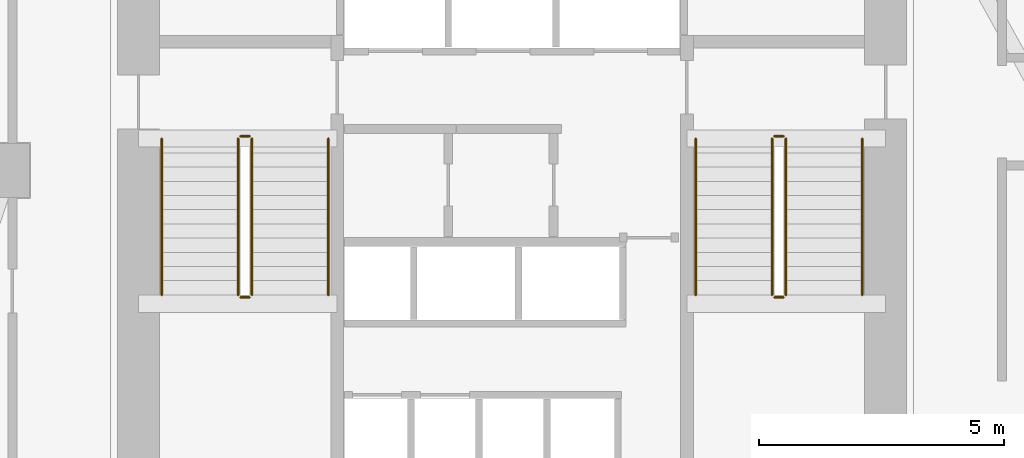
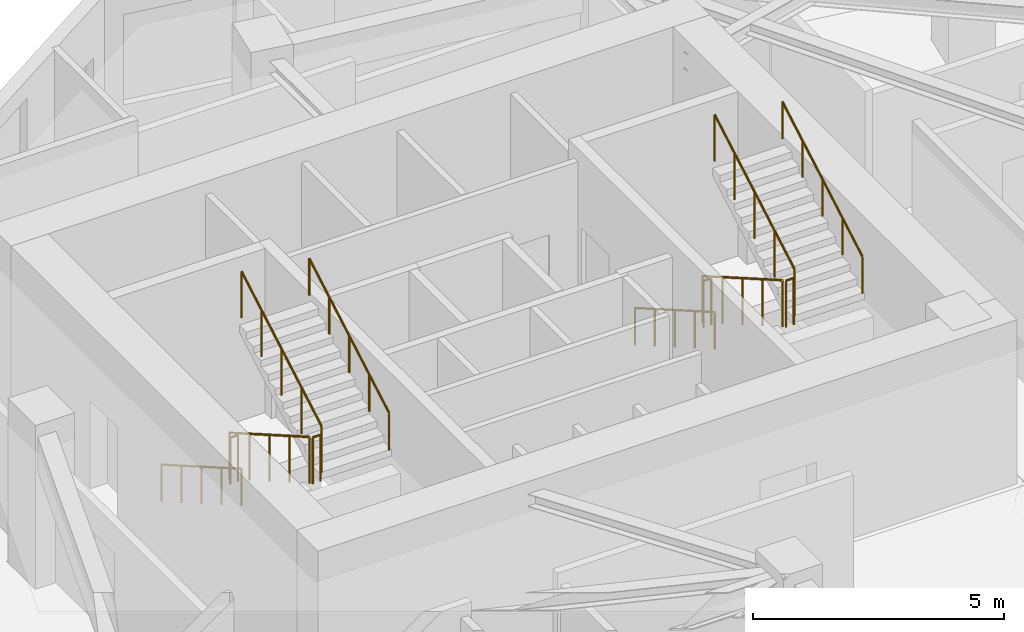
# One storey, part 10 of 10: 12 railings.
"""IFC4 building model written with IfcOpenShell, lengths in metres."""

from ifc_helpers import new_model, si_unit, direction, frame, origin, origin_2d, place, context, subcontext, project, spatial, circle, extrude, material, type_object, element, save


model = new_model("IFC4")

# Units and contexts
model_context = context("Model", 3, precision=1e-05, world=origin(), true_north=direction((0.0, 1.0)))
body_context = subcontext(model_context, "Body", "Model", "MODEL_VIEW")
ifc_project = project(units=[si_unit("LENGTHUNIT", "METRE"), si_unit("AREAUNIT", "SQUARE_METRE"), si_unit("VOLUMEUNIT", "CUBIC_METRE"), si_unit("PLANEANGLEUNIT", "RADIAN"), si_unit("MASSUNIT", "GRAM", prefix="KILO")], contexts=[model_context])

# Site, building, storey
site_placement = place(None, origin())
site = spatial("IfcSite", under=ifc_project, at=site_placement, CompositionType="ELEMENT")
building_placement = place(site_placement, origin())
building = spatial("IfcBuilding", under=site, at=building_placement, Name="Calvemar Wedge Station Tower", CompositionType="ELEMENT")
storey_placement = place(building_placement, frame((0.0, 0.0, 95.0)))
storey = spatial("IfcBuildingStorey", under=building, at=storey_placement, Name="L23", CompositionType="ELEMENT", Elevation=95.0)

# Railings
ifc_material_1 = material(Name="Stainless steel AISI 316L", Category="steel")
railing_type_1 = type_object("IfcRailingType", Name="RL-HANDRAIL-920", PredefinedType="HANDRAIL", material=ifc_material_1)
railing_1_placement = place(storey_placement, frame((16.64990234375, 41.14990234375, 0.166748046875)))
element("IfcRailing", 1, at=railing_1_placement, inside=storey, type_object=railing_type_1, Name="L23 ST-C1 stair handrail 1", PredefinedType="HANDRAIL", context=body_context, shape_type="SweptSolid", body=[
    extrude(circle(Radius=0.02392578125, at=origin_2d()), frame((0.0, 0.0, 0.89599609375), z_axis=(0.0, -0.867019545617, 0.498274128887), x_axis=(1.0, 0.0, 0.0)), (0.0, 0.0, 1.0), 3.67919921875),
    extrude(circle(Radius=0.02099609375, at=origin_2d()), origin(), (0.0, 0.0, 1.0), 0.871826171875),
    extrude(circle(Radius=0.02099609375, at=origin_2d()), frame((0.0, -0.79736328125, 0.458251953125)), (0.0, 0.0, 1.0), 0.871826171875),
    extrude(circle(Radius=0.02099609375, at=origin_2d()), frame((0.0, -1.594970703125, 0.91650390625)), (0.0, 0.0, 1.0), 0.871826171875),
    extrude(circle(Radius=0.02099609375, at=origin_2d()), frame((0.0, -2.392578125, 1.375)), (0.0, 0.0, 1.0), 0.871826171875),
    extrude(circle(Radius=0.02099609375, at=origin_2d()), frame((0.0, -3.18994140625, 1.833251953125)), (0.0, 0.0, 1.0), 0.871826171875),
])
railing_2_placement = place(storey_placement, frame((20.050048828125, 37.9599609375, 2.166748046875)))
element("IfcRailing", 2, at=railing_2_placement, inside=storey, type_object=railing_type_1, Name="L23 ST-C1 stair handrail 2", PredefinedType="HANDRAIL", context=body_context, shape_type="SweptSolid", body=[
    extrude(circle(Radius=0.02392578125, at=origin_2d()), frame((0.0, 0.0, 0.89599609375), z_axis=(0.0, 0.867019545617, 0.498274128887), x_axis=(-1.0, 0.0, 0.0)), (0.0, 0.0, 1.0), 3.67919921875),
    extrude(circle(Radius=0.02099609375, at=origin_2d()), origin(), (0.0, 0.0, 1.0), 0.871826171875),
    extrude(circle(Radius=0.02099609375, at=origin_2d()), frame((0.0, 0.79736328125, 0.458251953125)), (0.0, 0.0, 1.0), 0.871826171875),
    extrude(circle(Radius=0.02099609375, at=origin_2d()), frame((0.0, 1.594970703125, 0.91650390625)), (0.0, 0.0, 1.0), 0.871826171875),
    extrude(circle(Radius=0.02099609375, at=origin_2d()), frame((0.0, 2.392578125, 1.375)), (0.0, 0.0, 1.0), 0.871826171875),
    extrude(circle(Radius=0.02099609375, at=origin_2d()), frame((0.0, 3.18994140625, 1.833251953125)), (0.0, 0.0, 1.0), 0.871826171875),
])
railing_3_placement = place(storey_placement, frame((27.550048828125, 41.14990234375, 0.166748046875)))
element("IfcRailing", 3, at=railing_3_placement, inside=storey, type_object=railing_type_1, Name="L23 ST-C2 stair handrail 1", PredefinedType="HANDRAIL", context=body_context, shape_type="SweptSolid", body=[
    extrude(circle(Radius=0.02392578125, at=origin_2d()), frame((0.0, 0.0, 0.89599609375), z_axis=(0.0, -0.867019545617, 0.498274128887), x_axis=(1.0, 0.0, 0.0)), (0.0, 0.0, 1.0), 3.67919921875),
    extrude(circle(Radius=0.02099609375, at=origin_2d()), origin(), (0.0, 0.0, 1.0), 0.871826171875),
    extrude(circle(Radius=0.02099609375, at=origin_2d()), frame((0.0, -0.79736328125, 0.458251953125)), (0.0, 0.0, 1.0), 0.871826171875),
    extrude(circle(Radius=0.02099609375, at=origin_2d()), frame((0.0, -1.594970703125, 0.91650390625)), (0.0, 0.0, 1.0), 0.871826171875),
    extrude(circle(Radius=0.02099609375, at=origin_2d()), frame((0.0, -2.392578125, 1.375)), (0.0, 0.0, 1.0), 0.871826171875),
    extrude(circle(Radius=0.02099609375, at=origin_2d()), frame((0.0, -3.18994140625, 1.833251953125)), (0.0, 0.0, 1.0), 0.871826171875),
])
railing_4_placement = place(storey_placement, frame((30.949951171875, 37.9599609375, 2.166748046875)))
element("IfcRailing", 4, at=railing_4_placement, inside=storey, type_object=railing_type_1, Name="L23 ST-C2 stair handrail 2", PredefinedType="HANDRAIL", context=body_context, shape_type="SweptSolid", body=[
    extrude(circle(Radius=0.02392578125, at=origin_2d()), frame((0.0, 0.0, 0.89599609375), z_axis=(0.0, 0.867019545617, 0.498274128887), x_axis=(-1.0, 0.0, 0.0)), (0.0, 0.0, 1.0), 3.67919921875),
    extrude(circle(Radius=0.02099609375, at=origin_2d()), origin(), (0.0, 0.0, 1.0), 0.871826171875),
    extrude(circle(Radius=0.02099609375, at=origin_2d()), frame((0.0, 0.79736328125, 0.458251953125)), (0.0, 0.0, 1.0), 0.871826171875),
    extrude(circle(Radius=0.02099609375, at=origin_2d()), frame((0.0, 1.594970703125, 0.91650390625)), (0.0, 0.0, 1.0), 0.871826171875),
    extrude(circle(Radius=0.02099609375, at=origin_2d()), frame((0.0, 2.392578125, 1.375)), (0.0, 0.0, 1.0), 0.871826171875),
    extrude(circle(Radius=0.02099609375, at=origin_2d()), frame((0.0, 3.18994140625, 1.833251953125)), (0.0, 0.0, 1.0), 0.871826171875),
])
ifc_material_2 = material(Name="Painted steel guardrail ASTM A500 Grade C", Category="steel")
railing_type_2 = type_object("IfcRailingType", Name="RL-STAIR-GUARD-1150", PredefinedType="GUARDRAIL", material=ifc_material_2)
railing_5_placement = place(storey_placement, frame((18.2099609375, 41.14990234375, 0.166748046875)))
element("IfcRailing", 5, at=railing_5_placement, inside=storey, type_object=railing_type_2, Name="L23 ST-C1 stair guard 1", PredefinedType="GUARDRAIL", context=body_context, shape_type="SweptSolid", body=[
    extrude(circle(Radius=0.02392578125, at=origin_2d()), frame((0.0, 0.0, 1.1259765625), z_axis=(0.0, -0.867019545617, 0.498274128887), x_axis=(1.0, 0.0, 0.0)), (0.0, 0.0, 1.0), 3.67919921875),
    extrude(circle(Radius=0.02099609375, at=origin_2d()), origin(), (0.0, 0.0, 1.0), 1.101806640625),
    extrude(circle(Radius=0.02099609375, at=origin_2d()), frame((0.0, -0.79736328125, 0.458251953125)), (0.0, 0.0, 1.0), 1.101806640625),
    extrude(circle(Radius=0.02099609375, at=origin_2d()), frame((0.0, -1.594970703125, 0.91650390625)), (0.0, 0.0, 1.0), 1.101806640625),
    extrude(circle(Radius=0.02099609375, at=origin_2d()), frame((0.0, -2.392578125, 1.375)), (0.0, 0.0, 1.0), 1.101806640625),
    extrude(circle(Radius=0.02099609375, at=origin_2d()), frame((0.0, -3.18994140625, 1.833251953125)), (0.0, 0.0, 1.0), 1.101806640625),
])
railing_6_placement = place(storey_placement, frame((18.260009765625, 37.909912109375, 2.0)))
element("IfcRailing", 6, at=railing_6_placement, inside=storey, type_object=railing_type_2, Name="L23 ST-C1 stair guard 2", PredefinedType="GUARDRAIL", context=body_context, shape_type="SweptSolid", body=[
    extrude(circle(Radius=0.02392578125, at=origin_2d()), frame((0.0, 0.0, 1.1259765625), z_axis=(1.0, 0.0, 0.0), x_axis=(0.0, 1.0, 0.0)), (0.0, 0.0, 1.0), 0.179931640625),
    extrude(circle(Radius=0.02099609375, at=origin_2d()), origin(), (0.0, 0.0, 1.0), 1.101806640625),
    extrude(circle(Radius=0.02099609375, at=origin_2d()), frame((0.179931640625, 0.0, 0.0)), (0.0, 0.0, 1.0), 1.101806640625),
])
railing_7_placement = place(storey_placement, frame((18.489990234375, 37.9599609375, 2.166748046875)))
element("IfcRailing", 7, at=railing_7_placement, inside=storey, type_object=railing_type_2, Name="L23 ST-C1 stair guard 3", PredefinedType="GUARDRAIL", context=body_context, shape_type="SweptSolid", body=[
    extrude(circle(Radius=0.02392578125, at=origin_2d()), frame((0.0, 0.0, 1.1259765625), z_axis=(0.0, 0.867019545617, 0.498274128887), x_axis=(-1.0, 0.0, 0.0)), (0.0, 0.0, 1.0), 3.67919921875),
    extrude(circle(Radius=0.02099609375, at=origin_2d()), origin(), (0.0, 0.0, 1.0), 1.101806640625),
    extrude(circle(Radius=0.02099609375, at=origin_2d()), frame((0.0, 0.79736328125, 0.458251953125)), (0.0, 0.0, 1.0), 1.101806640625),
    extrude(circle(Radius=0.02099609375, at=origin_2d()), frame((0.0, 1.594970703125, 0.91650390625)), (0.0, 0.0, 1.0), 1.101806640625),
    extrude(circle(Radius=0.02099609375, at=origin_2d()), frame((0.0, 2.392578125, 1.375)), (0.0, 0.0, 1.0), 1.101806640625),
    extrude(circle(Radius=0.02099609375, at=origin_2d()), frame((0.0, 3.18994140625, 1.833251953125)), (0.0, 0.0, 1.0), 1.101806640625),
])
railing_8_placement = place(storey_placement, frame((18.260009765625, 41.199951171875, 0.0)))
element("IfcRailing", 8, at=railing_8_placement, inside=storey, type_object=railing_type_2, Name="L23 ST-C1 stair guard 4", PredefinedType="GUARDRAIL", context=body_context, shape_type="SweptSolid", body=[
    extrude(circle(Radius=0.02392578125, at=origin_2d()), frame((0.0, 0.0, 1.1259765625), z_axis=(1.0, 0.0, 0.0), x_axis=(0.0, 1.0, 0.0)), (0.0, 0.0, 1.0), 0.179931640625),
    extrude(circle(Radius=0.02099609375, at=origin_2d()), origin(), (0.0, 0.0, 1.0), 1.101806640625),
    extrude(circle(Radius=0.02099609375, at=origin_2d()), frame((0.179931640625, 0.0, 0.0)), (0.0, 0.0, 1.0), 1.101806640625),
])
railing_9_placement = place(storey_placement, frame((29.110107421875, 41.14990234375, 0.166748046875)))
element("IfcRailing", 9, at=railing_9_placement, inside=storey, type_object=railing_type_2, Name="L23 ST-C2 stair guard 1", PredefinedType="GUARDRAIL", context=body_context, shape_type="SweptSolid", body=[
    extrude(circle(Radius=0.02392578125, at=origin_2d()), frame((0.0, 0.0, 1.1259765625), z_axis=(0.0, -0.867019545617, 0.498274128887), x_axis=(1.0, 0.0, 0.0)), (0.0, 0.0, 1.0), 3.67919921875),
    extrude(circle(Radius=0.02099609375, at=origin_2d()), origin(), (0.0, 0.0, 1.0), 1.101806640625),
    extrude(circle(Radius=0.02099609375, at=origin_2d()), frame((0.0, -0.79736328125, 0.458251953125)), (0.0, 0.0, 1.0), 1.101806640625),
    extrude(circle(Radius=0.02099609375, at=origin_2d()), frame((0.0, -1.594970703125, 0.91650390625)), (0.0, 0.0, 1.0), 1.101806640625),
    extrude(circle(Radius=0.02099609375, at=origin_2d()), frame((0.0, -2.392578125, 1.375)), (0.0, 0.0, 1.0), 1.101806640625),
    extrude(circle(Radius=0.02099609375, at=origin_2d()), frame((0.0, -3.18994140625, 1.833251953125)), (0.0, 0.0, 1.0), 1.101806640625),
])
railing_10_placement = place(storey_placement, frame((29.159912109375, 37.909912109375, 2.0)))
element("IfcRailing", 10, at=railing_10_placement, inside=storey, type_object=railing_type_2, Name="L23 ST-C2 stair guard 2", PredefinedType="GUARDRAIL", context=body_context, shape_type="SweptSolid", body=[
    extrude(circle(Radius=0.02392578125, at=origin_2d()), frame((0.0, 0.0, 1.1259765625), z_axis=(1.0, 0.0, 0.0), x_axis=(0.0, 1.0, 0.0)), (0.0, 0.0, 1.0), 0.18017578125),
    extrude(circle(Radius=0.02099609375, at=origin_2d()), origin(), (0.0, 0.0, 1.0), 1.101806640625),
    extrude(circle(Radius=0.02099609375, at=origin_2d()), frame((0.18017578125, 0.0, 0.0)), (0.0, 0.0, 1.0), 1.101806640625),
])
railing_11_placement = place(storey_placement, frame((29.389892578125, 37.9599609375, 2.166748046875)))
element("IfcRailing", 11, at=railing_11_placement, inside=storey, type_object=railing_type_2, Name="L23 ST-C2 stair guard 3", PredefinedType="GUARDRAIL", context=body_context, shape_type="SweptSolid", body=[
    extrude(circle(Radius=0.02392578125, at=origin_2d()), frame((0.0, 0.0, 1.1259765625), z_axis=(0.0, 0.867019545617, 0.498274128887), x_axis=(-1.0, 0.0, 0.0)), (0.0, 0.0, 1.0), 3.67919921875),
    extrude(circle(Radius=0.02099609375, at=origin_2d()), origin(), (0.0, 0.0, 1.0), 1.101806640625),
    extrude(circle(Radius=0.02099609375, at=origin_2d()), frame((0.0, 0.79736328125, 0.458251953125)), (0.0, 0.0, 1.0), 1.101806640625),
    extrude(circle(Radius=0.02099609375, at=origin_2d()), frame((0.0, 1.594970703125, 0.91650390625)), (0.0, 0.0, 1.0), 1.101806640625),
    extrude(circle(Radius=0.02099609375, at=origin_2d()), frame((0.0, 2.392578125, 1.375)), (0.0, 0.0, 1.0), 1.101806640625),
    extrude(circle(Radius=0.02099609375, at=origin_2d()), frame((0.0, 3.18994140625, 1.833251953125)), (0.0, 0.0, 1.0), 1.101806640625),
])
railing_12_placement = place(storey_placement, frame((29.159912109375, 41.199951171875, 0.0)))
element("IfcRailing", 12, at=railing_12_placement, inside=storey, type_object=railing_type_2, Name="L23 ST-C2 stair guard 4", PredefinedType="GUARDRAIL", context=body_context, shape_type="SweptSolid", body=[
    extrude(circle(Radius=0.02392578125, at=origin_2d()), frame((0.0, 0.0, 1.1259765625), z_axis=(1.0, 0.0, 0.0), x_axis=(0.0, 1.0, 0.0)), (0.0, 0.0, 1.0), 0.18017578125),
    extrude(circle(Radius=0.02099609375, at=origin_2d()), origin(), (0.0, 0.0, 1.0), 1.101806640625),
    extrude(circle(Radius=0.02099609375, at=origin_2d()), frame((0.18017578125, 0.0, 0.0)), (0.0, 0.0, 1.0), 1.101806640625),
])

save(model, "model.ifc")
